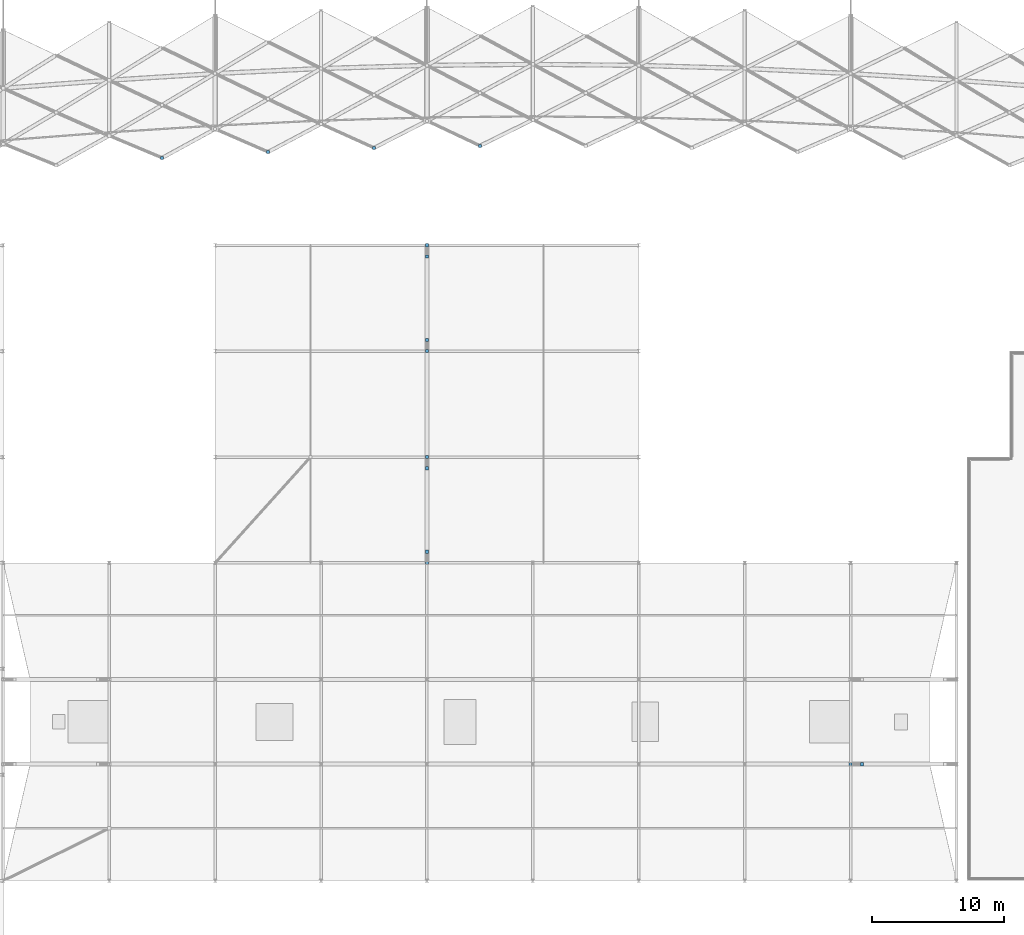
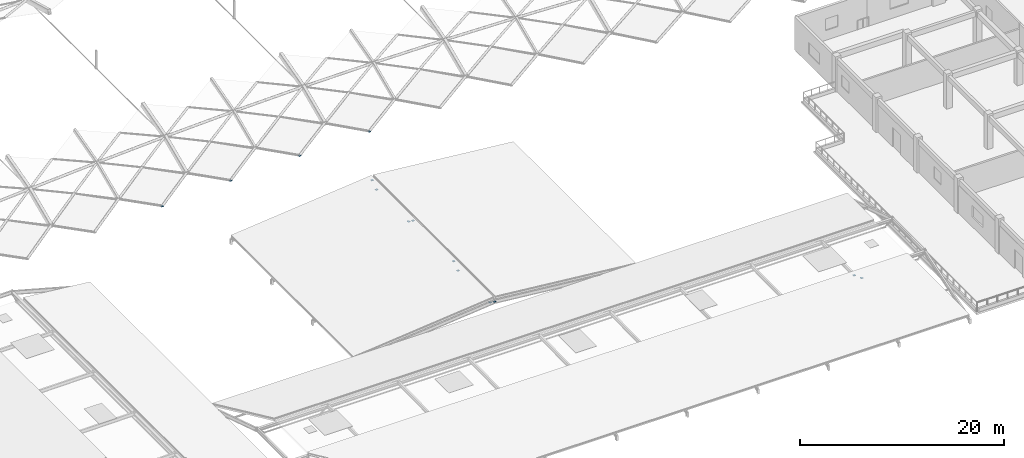
# One storey, part 43 of 54: 14 discrete accessories.
"""IFC4 building model written with IfcOpenShell, lengths in metres."""

from ifc_helpers import new_model, si_unit, direction, frame, origin, origin_2d, place, context, subcontext, project, spatial, rectangle, extrude, material, type_object, element, save


model = new_model("IFC4")

# Units and contexts
model_context = context("Model", 3, precision=1e-05, world=origin(), true_north=direction((0.0, 1.0)))
body_context = subcontext(model_context, "Body", "Model", "MODEL_VIEW")
ifc_project = project(units=[si_unit("LENGTHUNIT", "METRE"), si_unit("AREAUNIT", "SQUARE_METRE"), si_unit("VOLUMEUNIT", "CUBIC_METRE"), si_unit("PLANEANGLEUNIT", "RADIAN"), si_unit("MASSUNIT", "GRAM", prefix="KILO")], contexts=[model_context])

# Site, building, storey
site_placement = place(None, origin())
site = spatial("IfcSite", under=ifc_project, at=site_placement, CompositionType="ELEMENT")
building_placement = place(site_placement, origin())
building = spatial("IfcBuilding", under=site, at=building_placement, Name="Kenh Van Central Station", CompositionType="ELEMENT")
storey_placement = place(building_placement, frame((0.0, 0.0, 15.0)))
storey = spatial("IfcBuildingStorey", under=building, at=storey_placement, Name="L03", CompositionType="ELEMENT", Elevation=15.0)

# Discrete accessories
ifc_material_1 = material(Name="Structural steel S355JR", Category="steel")
discrete_accessory_type_1 = type_object("IfcDiscreteAccessoryType", Name="ACC-END-NODE", PredefinedType="BRACKET", material=ifc_material_1)
for number, where, z_axis, x_axis, name in (
    (1, (112.85009765625, 24.800048828125, 1.665771484375), (0.0, 0.0, 1.0), (1.0, 0.0, 0.0), "L03 brace end connection node plate 0329"),
    (2, (112.0, 24.800048828125, 2.285888671875), (0.0, 0.0, 1.0), (1.0, 0.0, 0.0), "L03 brace end connection node plate 0330"),
    (3, (80.0, 40.85009765625, 0.50048828125), (0.0, 0.0, 1.0), (1.0, 0.0, 0.0), "L03 brace end connection node plate 0342"),
    (4, (80.0, 63.14990234375, 0.50048828125), (0.0, 0.0, 1.0), (1.0, 0.0, 0.0), "L03 brace end connection node plate 0343"),
    (5, (80.0, 40.0, 1.120361328125), (0.0, 0.0, 1.0), (1.0, 0.0, 0.0), "L03 brace end connection node plate 0344"),
    (6, (80.0, 47.14990234375, 0.50048828125), (0.0, 0.0, 1.0), (1.0, 0.0, 0.0), "L03 brace end connection node plate 0345"),
    (7, (80.0, 48.0, 1.120361328125), (0.0, 0.0, 1.0), (1.0, 0.0, 0.0), "L03 brace end connection node plate 0346"),
    (8, (80.0, 56.85009765625, 0.50048828125), (0.0, 0.0, 1.0), (1.0, 0.0, 0.0), "L03 brace end connection node plate 0347"),
    (9, (80.0, 56.0, 1.120361328125), (0.0, 0.0, 1.0), (1.0, 0.0, 0.0), "L03 brace end connection node plate 0348"),
    (10, (80.0, 64.0, 1.120361328125), (0.0, 0.0, 1.0), (1.0, 0.0, 0.0), "L03 brace end connection node plate 0349"),
):
    element("IfcDiscreteAccessory", number, at=place(storey_placement, frame(where, z_axis=z_axis, x_axis=x_axis)), inside=storey, type_object=discrete_accessory_type_1, Name=name, PredefinedType="BRACKET", context=body_context, shape_type="SweptSolid", body=[
        extrude(rectangle(XDim=0.239990234375, YDim=0.239990234375, at=origin_2d()), origin(), (0.0, 0.0, 1.0), 0.02490234375),
    ])
ifc_material_2 = material(Name="White fluoropolymer structural steel S355", Category="steel")
discrete_accessory_type_2 = type_object("IfcDiscreteAccessoryType", Name="ACC-END-NODE-VLT", PredefinedType="BRACKET", material=ifc_material_2)
for number, where, z_axis, x_axis, name in (
    (11, (60.0, 70.5869140625, 1.0029296875), (0.0, 0.0, 1.0), (1.0, 0.0, 0.0), "L03 brace end connection node plate 0073"),
    (12, (68.0, 71.03369140625, 1.0029296875), (0.0, 0.0, 1.0), (1.0, 0.0, 0.0), "L03 brace end connection node plate 0094"),
    (13, (76.0, 71.344482421875, 1.0029296875), (0.0, 0.0, 1.0), (1.0, 0.0, 0.0), "L03 brace end connection node plate 0115"),
    (14, (84.0, 71.50390625, 1.0029296875), (0.0, 0.0, 1.0), (1.0, 0.0, 0.0), "L03 brace end connection node plate 0136"),
):
    element("IfcDiscreteAccessory", number, at=place(storey_placement, frame(where, z_axis=z_axis, x_axis=x_axis)), inside=storey, type_object=discrete_accessory_type_2, Name=name, PredefinedType="BRACKET", context=body_context, shape_type="SweptSolid", body=[
        extrude(rectangle(XDim=0.239990234375, YDim=0.239990234375, at=origin_2d()), origin(), (0.0, 0.0, 1.0), 0.02490234375),
    ])

save(model, "model.ifc")
